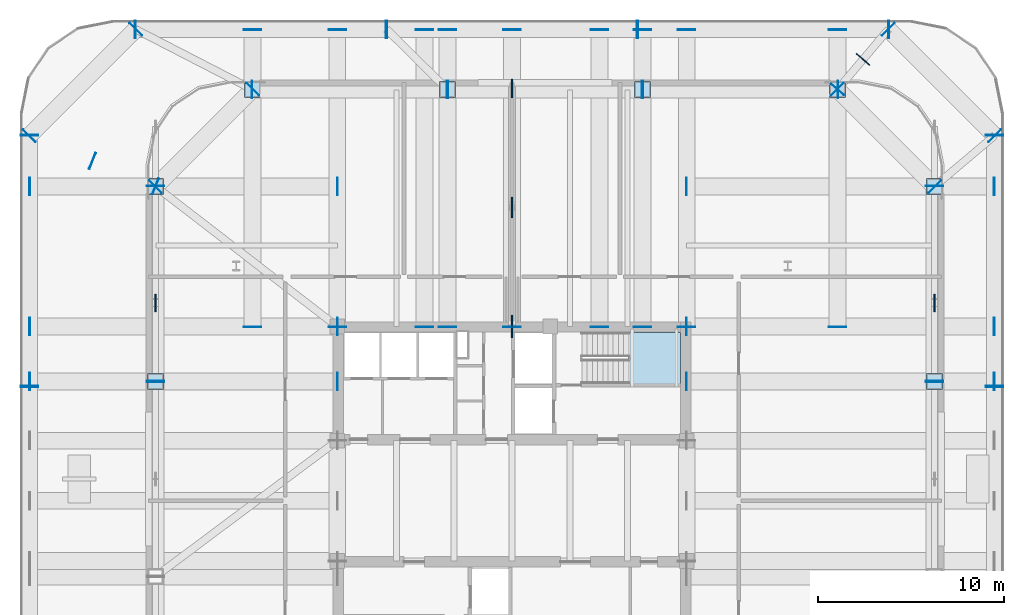
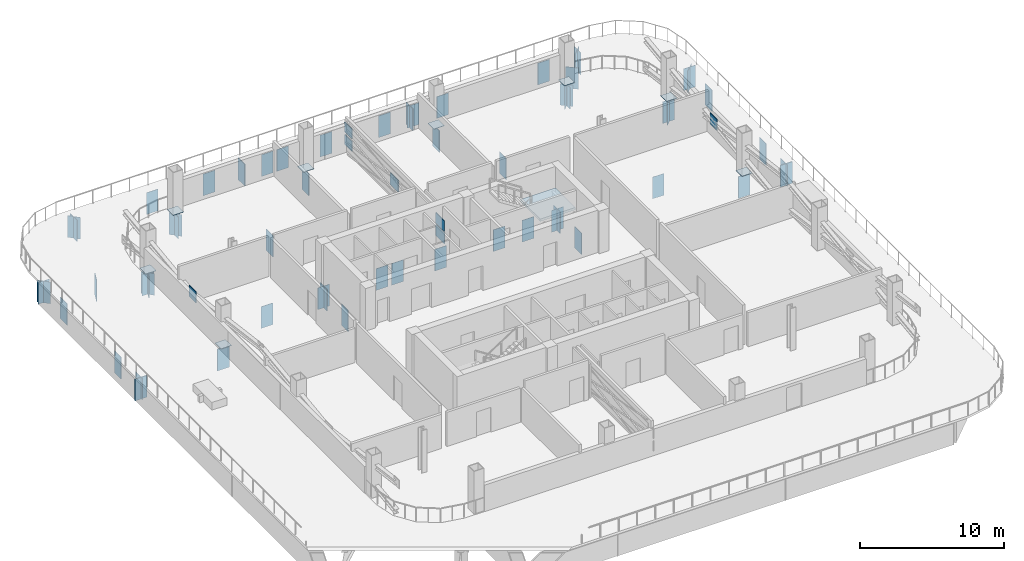
# One storey, part 7 of 16: 81 plates, 1 slab, 1 element without a shape of its own.
"""IFC4 building model written with IfcOpenShell, lengths in metres."""

from ifc_helpers import new_model, si_unit, direction, frame, origin, origin_2d, place, context, subcontext, project, spatial, polyline, rectangle, outline, extrude, material, layer, layer_set, type_object, element, aggregate, save


model = new_model("IFC4")

# Units and contexts
model_context = context("Model", 3, precision=1e-05, world=origin(), true_north=direction((0.0, 1.0)))
body_context = subcontext(model_context, "Body", "Model", "MODEL_VIEW")
ifc_project = project(units=[si_unit("LENGTHUNIT", "METRE"), si_unit("AREAUNIT", "SQUARE_METRE"), si_unit("VOLUMEUNIT", "CUBIC_METRE"), si_unit("PLANEANGLEUNIT", "RADIAN"), si_unit("MASSUNIT", "GRAM", prefix="KILO")], contexts=[model_context])

# Site, building, storey
site_placement = place(None, origin())
site = spatial("IfcSite", under=ifc_project, at=site_placement, CompositionType="ELEMENT")
building_placement = place(site_placement, origin())
building = spatial("IfcBuilding", under=site, at=building_placement, Name="Qhalaya Broadcast Tower", CompositionType="ELEMENT")
storey_placement = place(building_placement, frame((0.0, 0.0, 57.89990234375)))
storey = spatial("IfcBuildingStorey", under=building, at=storey_placement, Name="L16", CompositionType="ELEMENT", Elevation=57.89990234375)

# Plates
ifc_material_1 = material(Name="Structural Steel ASTM A572 Grade 50", Category="steel")
ifc_layer_1 = layer(ifc_material_1, 0.4599609375, Name="Structural Steel ASTM A572 Grade 50")
ifc_layer_set_1 = layer_set([ifc_layer_1], Name="Structural Steel ASTM A572 Grade 50")
plate_type_1 = type_object("IfcPlateType", Name="Hollow Box Member End Cap Plate CP-01", PredefinedType="USERDEFINED", material=ifc_layer_set_1)
for number, where, z_axis, x_axis, name in (
    (1, (22.669921875, 7.019287109375, -2.10009765625), (0.0, 0.0, 1.0), (-1.0, 0.0, 0.0), "L16 Hollow Girder End Cap L16-SPR-06-B"),
    (2, (22.669921875, 6.9873046875, -2.10009765625), (0.0, 0.0, 1.0), (-1.0, 0.0, 0.0), "L16 Hollow Girder End Cap L16-SPR-07-A"),
    (3, (22.669921875, 17.486083984375, -2.10009765625), (0.0, 0.0, 1.0), (-1.0, 0.0, 0.0), "L16 Hollow Girder End Cap L16-SPR-07-B"),
    (4, (22.681396484375, 17.458740234375, -2.10009765625), (0.0, 0.0, 1.0), (-0.707106781187, -0.707106781187, 0.0), "L16 Hollow Girder End Cap L16-SPR-08-A"),
    (5, (17.458740234375, 22.681396484375, -2.10009765625), (0.0, 0.0, 1.0), (-0.707106781187, -0.707106781187, 0.0), "L16 Hollow Girder End Cap L16-SPR-08-B"),
    (6, (17.486083984375, 22.669921875, -2.10009765625), (0.0, 0.0, 1.0), (0.0, -1.0, 0.0), "L16 Hollow Girder End Cap L16-SPR-09-A"),
    (7, (6.9873046875, 22.669921875, -2.10009765625), (0.0, 0.0, 1.0), (0.0, -1.0, 0.0), "L16 Hollow Girder End Cap L16-SPR-09-B"),
    (8, (7.019287109375, 22.669921875, -2.10009765625), (0.0, 0.0, 1.0), (0.0, -1.0, 0.0), "L16 Hollow Girder End Cap L16-SPR-10-A"),
    (9, (-3.479248046875, 22.669921875, -2.10009765625), (0.0, 0.0, 1.0), (0.0, -1.0, 0.0), "L16 Hollow Girder End Cap L16-SPR-10-B"),
    (10, (-3.447265625, 22.669921875, -2.10009765625), (0.0, 0.0, 1.0), (0.0, -1.0, 0.0), "L16 Hollow Girder End Cap L16-SPR-11-A"),
    (11, (-13.946044921875, 22.669921875, -2.10009765625), (0.0, 0.0, 1.0), (0.0, -1.0, 0.0), "L16 Hollow Girder End Cap L16-SPR-11-B"),
    (12, (-13.918701171875, 22.681396484375, -2.10009765625), (0.0, 0.0, 1.0), (0.707106781187, -0.707106781187, 0.0), "L16 Hollow Girder End Cap L16-SPR-12-A"),
    (13, (-19.141357421875, 17.458740234375, -2.10009765625), (0.0, 0.0, 1.0), (0.707106781187, -0.707106781187, 0.0), "L16 Hollow Girder End Cap L16-SPR-12-B"),
    (14, (-19.1298828125, 17.486083984375, -2.10009765625), (0.0, 0.0, 1.0), (1.0, 0.0, 0.0), "L16 Hollow Girder End Cap L16-SPR-13-A"),
    (15, (-19.1298828125, 6.9873046875, -2.10009765625), (0.0, 0.0, 1.0), (1.0, 0.0, 0.0), "L16 Hollow Girder End Cap L16-SPR-13-B"),
    (16, (-19.1298828125, 7.019287109375, -2.10009765625), (0.0, 0.0, 1.0), (1.0, 0.0, 0.0), "L16 Hollow Girder End Cap L16-SPR-14-A"),
    (17, (25.89990234375, 6.749267578125, -2.10009765625), (0.0, 0.0, 1.0), (-1.0, 0.0, 0.0), "L16 Hollow Girder End Cap L16-TGL-06-B"),
    (18, (25.89990234375, 6.71728515625, -2.10009765625), (0.0, 0.0, 1.0), (-1.0, 0.0, 0.0), "L16 Hollow Girder End Cap L16-TGL-07-A"),
    (19, (25.89990234375, 20.216064453125, -2.10009765625), (0.0, 0.0, 1.0), (-1.0, 0.0, 0.0), "L16 Hollow Girder End Cap L16-TGL-07-B"),
    (20, (25.911376953125, 20.188720703125, -2.10009765625), (0.0, 0.0, 1.0), (-0.707106781187, -0.707106781187, 0.0), "L16 Hollow Girder End Cap L16-TGL-08-A"),
    (21, (20.188720703125, 25.911376953125, -2.10009765625), (0.0, 0.0, 1.0), (-0.707106781187, -0.707106781187, 0.0), "L16 Hollow Girder End Cap L16-TGL-08-B"),
    (22, (20.216064453125, 25.89990234375, -2.10009765625), (0.0, 0.0, 1.0), (0.0, -1.0, 0.0), "L16 Hollow Girder End Cap L16-TGL-09-A"),
    (23, (6.71728515625, 25.89990234375, -2.10009765625), (0.0, 0.0, 1.0), (0.0, -1.0, 0.0), "L16 Hollow Girder End Cap L16-TGL-09-B"),
    (24, (6.749267578125, 25.89990234375, -2.10009765625), (0.0, 0.0, 1.0), (0.0, -1.0, 0.0), "L16 Hollow Girder End Cap L16-TGL-10-A"),
    (25, (-6.749267578125, 25.89990234375, -2.10009765625), (0.0, 0.0, 1.0), (0.0, -1.0, 0.0), "L16 Hollow Girder End Cap L16-TGL-10-B"),
    (26, (-6.71728515625, 25.89990234375, -2.10009765625), (0.0, 0.0, 1.0), (0.0, -1.0, 0.0), "L16 Hollow Girder End Cap L16-TGL-11-A"),
    (27, (-20.216064453125, 25.89990234375, -2.10009765625), (0.0, 0.0, 1.0), (0.0, -1.0, 0.0), "L16 Hollow Girder End Cap L16-TGL-11-B"),
    (28, (-20.188720703125, 25.911376953125, -2.10009765625), (0.0, 0.0, 1.0), (0.707106781187, -0.707106781187, 0.0), "L16 Hollow Girder End Cap L16-TGL-12-A"),
    (29, (-25.911376953125, 20.188720703125, -2.10009765625), (0.0, 0.0, 1.0), (0.707106781187, -0.707106781187, 0.0), "L16 Hollow Girder End Cap L16-TGL-12-B"),
    (30, (-25.89990234375, 20.216064453125, -2.10009765625), (0.0, 0.0, 1.0), (1.0, 0.0, 0.0), "L16 Hollow Girder End Cap L16-TGL-13-A"),
    (31, (-25.89990234375, 6.71728515625, -2.10009765625), (0.0, 0.0, 1.0), (1.0, 0.0, 0.0), "L16 Hollow Girder End Cap L16-TGL-13-B"),
    (32, (-25.89990234375, 6.749267578125, -2.10009765625), (0.0, 0.0, 1.0), (1.0, 0.0, 0.0), "L16 Hollow Girder End Cap L16-TGL-14-A"),
    (33, (-9.375, 9.93408203125, -2.10009765625), (0.0, 0.0, 1.0), (-1.0, 0.0, 0.0), "L16 Hollow Girder End Cap L16-TGINW-1-A"),
    (34, (-9.375, 25.8759765625, -2.10009765625), (0.0, 0.0, 1.0), (-1.0, 0.0, 0.0), "L16 Hollow Girder End Cap L16-TGINW-1-B"),
    (35, (9.375, 9.93408203125, -2.10009765625), (0.0, 0.0, 1.0), (-1.0, 0.0, 0.0), "L16 Hollow Girder End Cap L16-TGINE-1-A"),
    (36, (9.375, 25.8759765625, -2.10009765625), (0.0, 0.0, 1.0), (-1.0, 0.0, 0.0), "L16 Hollow Girder End Cap L16-TGINE-1-B"),
    (37, (0.0, 9.93408203125, -2.10009765625), (0.0, 0.0, 1.0), (-1.0, 0.0, 0.0), "L16 Hollow Girder End Cap L16-TGIMN-1-A"),
    (38, (0.0, 25.8759765625, -2.10009765625), (0.0, 0.0, 1.0), (-1.0, 0.0, 0.0), "L16 Hollow Girder End Cap L16-TGIMN-1-B"),
    (39, (-4.699951171875, 9.93408203125, -2.10009765625), (0.0, 0.0, 1.0), (-1.0, 0.0, 0.0), "L16 Hollow Girder End Cap L16-TGIMNW-1-A"),
    (40, (-4.699951171875, 25.8759765625, -2.10009765625), (0.0, 0.0, 1.0), (-1.0, 0.0, 0.0), "L16 Hollow Girder End Cap L16-TGIMNW-1-B"),
    (41, (4.699951171875, 9.93408203125, -2.10009765625), (0.0, 0.0, 1.0), (-1.0, 0.0, 0.0), "L16 Hollow Girder End Cap L16-TGIMNE-1-A"),
    (42, (4.699951171875, 25.8759765625, -2.10009765625), (0.0, 0.0, 1.0), (-1.0, 0.0, 0.0), "L16 Hollow Girder End Cap L16-TGIMNE-1-B"),
    (43, (-25.8759765625, 9.949951171875, -2.10009765625), (0.0, 0.0, 1.0), (0.0, 1.0, 0.0), "L16 Hollow Girder End Cap L16-TGIY4W-1-A"),
    (44, (-9.35888671875, 9.949951171875, -2.10009765625), (0.0, 0.0, 1.0), (0.0, 1.0, 0.0), "L16 Hollow Girder End Cap L16-TGIY4W-1-B"),
    (45, (9.35888671875, 9.949951171875, -2.10009765625), (0.0, 0.0, 1.0), (0.0, 1.0, 0.0), "L16 Hollow Girder End Cap L16-TGIY4E-1-A"),
    (46, (25.8759765625, 9.949951171875, -2.10009765625), (0.0, 0.0, 1.0), (0.0, 1.0, 0.0), "L16 Hollow Girder End Cap L16-TGIY4E-1-B"),
    (47, (9.35888671875, 7.00341796875, -2.10009765625), (0.0, 0.0, 1.0), (0.0, 1.0, 0.0), "L16 Hollow Girder End Cap L16-TGC-07-A"),
    (48, (25.8759765625, 7.00341796875, -2.10009765625), (0.0, 0.0, 1.0), (0.0, 1.0, 0.0), "L16 Hollow Girder End Cap L16-TGC-07-B"),
    (49, (9.35888671875, 17.469970703125, -2.10009765625), (0.0, 0.0, 1.0), (0.0, 1.0, 0.0), "L16 Hollow Girder End Cap L16-TGC-08-A"),
    (50, (25.8759765625, 17.469970703125, -2.10009765625), (0.0, 0.0, 1.0), (0.0, 1.0, 0.0), "L16 Hollow Girder End Cap L16-TGC-08-B"),
    (51, (17.469970703125, 9.93408203125, -2.10009765625), (0.0, 0.0, 1.0), (-1.0, 0.0, 0.0), "L16 Hollow Girder End Cap L16-TGC-09-A"),
    (52, (17.469970703125, 25.8759765625, -2.10009765625), (0.0, 0.0, 1.0), (-1.0, 0.0, 0.0), "L16 Hollow Girder End Cap L16-TGC-09-B"),
):
    element("IfcPlate", number, at=place(storey_placement, frame(where, z_axis=z_axis, x_axis=x_axis)), inside=storey, type_object=plate_type_1, Name=name, ObjectType="COVER_PLATE", PredefinedType="USERDEFINED", context=body_context, shape_type="SweptSolid", body=[
        extrude(rectangle(XDim=0.93994140625, YDim=0.031982421875, at=origin_2d()), origin(), (0.0, 0.0, 1.0), 1.840087890625),
    ])
plate_1_placement = place(storey_placement, frame((17.469970703125, 22.669921875, -2.080078125), z_axis=(0.0, 0.0, 1.0), x_axis=(0.763739698917, -0.645524339044, 0.0)))
element("IfcPlate", 53, at=plate_1_placement, inside=storey, type_object=plate_type_1, Name="L16 Transfer Box End Cap 09", ObjectType="COVER_PLATE", PredefinedType="USERDEFINED", context=body_context, shape_type="SweptSolid", body=[
    extrude(rectangle(XDim=0.919921875, YDim=0.035888671875, at=origin_2d()), origin(), (0.0, 0.0, 1.0), 1.800048828125),
])
for number, where, z_axis, x_axis, name in (
    (54, (7.00341796875, 9.93408203125, -2.10009765625), (0.0, 0.0, 1.0), (-1.0, 0.0, 0.0), "L16 Hollow Girder End Cap L16-TGC-10-A"),
    (55, (7.00341796875, 25.8759765625, -2.10009765625), (0.0, 0.0, 1.0), (-1.0, 0.0, 0.0), "L16 Hollow Girder End Cap L16-TGC-10-B"),
    (56, (-3.46337890625, 9.93408203125, -2.10009765625), (0.0, 0.0, 1.0), (-1.0, 0.0, 0.0), "L16 Hollow Girder End Cap L16-TGC-11-A"),
    (57, (-3.46337890625, 25.8759765625, -2.10009765625), (0.0, 0.0, 1.0), (-1.0, 0.0, 0.0), "L16 Hollow Girder End Cap L16-TGC-11-B"),
    (58, (-13.929931640625, 9.93408203125, -2.10009765625), (0.0, 0.0, 1.0), (-1.0, 0.0, 0.0), "L16 Hollow Girder End Cap L16-TGC-12-A"),
    (59, (-13.929931640625, 25.8759765625, -2.10009765625), (0.0, 0.0, 1.0), (-1.0, 0.0, 0.0), "L16 Hollow Girder End Cap L16-TGC-12-B"),
    (60, (-25.8759765625, 17.469970703125, -2.10009765625), (0.0, 0.0, 1.0), (0.0, 1.0, 0.0), "L16 Hollow Girder End Cap L16-TGC-13-A"),
    (61, (-9.35888671875, 17.469970703125, -2.10009765625), (0.0, 0.0, 1.0), (0.0, 1.0, 0.0), "L16 Hollow Girder End Cap L16-TGC-13-B"),
):
    element("IfcPlate", number, at=place(storey_placement, frame(where, z_axis=z_axis, x_axis=x_axis)), inside=storey, type_object=plate_type_1, Name=name, ObjectType="COVER_PLATE", PredefinedType="USERDEFINED", context=body_context, shape_type="SweptSolid", body=[
        extrude(rectangle(XDim=0.93994140625, YDim=0.031982421875, at=origin_2d()), origin(), (0.0, 0.0, 1.0), 1.840087890625),
    ])
plate_2_placement = place(storey_placement, frame((-19.1298828125, 17.469970703125, -2.080078125), z_axis=(0.0, 0.0, 1.0), x_axis=(0.373991579453, 0.927432099131, 0.0)))
element("IfcPlate", 62, at=plate_2_placement, inside=storey, type_object=plate_type_1, Name="L16 Transfer Box End Cap 13", ObjectType="COVER_PLATE", PredefinedType="USERDEFINED", context=body_context, shape_type="SweptSolid", body=[
    extrude(rectangle(XDim=0.919921875, YDim=0.035888671875, at=origin_2d()), origin(), (0.0, 0.0, 1.0), 1.800048828125),
])
for number, where, z_axis, x_axis, name in (
    (63, (-25.8759765625, 7.00341796875, -2.10009765625), (0.0, 0.0, 1.0), (0.0, 1.0, 0.0), "L16 Hollow Girder End Cap L16-TGC-14-A"),
    (64, (-9.35888671875, 7.00341796875, -2.10009765625), (0.0, 0.0, 1.0), (0.0, 1.0, 0.0), "L16 Hollow Girder End Cap L16-TGC-14-B"),
):
    element("IfcPlate", number, at=place(storey_placement, frame(where, z_axis=z_axis, x_axis=x_axis)), inside=storey, type_object=plate_type_1, Name=name, ObjectType="COVER_PLATE", PredefinedType="USERDEFINED", context=body_context, shape_type="SweptSolid", body=[
        extrude(rectangle(XDim=0.93994140625, YDim=0.031982421875, at=origin_2d()), origin(), (0.0, 0.0, 1.0), 1.840087890625),
    ])
for number, where, z_axis, x_axis, name in (
    (65, (22.669921875, 7.00341796875, -0.03173828125), (0.0, 0.0, 1.0), (0.0, 1.0, 0.0), "L16 Hollow Box Column Base Cap Plate COL-NK07"),
    (66, (22.669921875, 17.469970703125, -0.03173828125), (0.0, 0.0, 1.0), (0.0, 1.0, 0.0), "L16 Hollow Box Column Base Cap Plate COL-NK08"),
    (67, (17.469970703125, 22.669921875, -0.03173828125), (0.0, 0.0, 1.0), (1.0, 0.0, 0.0), "L16 Hollow Box Column Base Cap Plate COL-NK09"),
    (68, (7.00341796875, 22.669921875, -0.03173828125), (0.0, 0.0, 1.0), (1.0, 0.0, 0.0), "L16 Hollow Box Column Base Cap Plate COL-NK10"),
    (69, (-3.46337890625, 22.669921875, -0.03173828125), (0.0, 0.0, 1.0), (1.0, 0.0, 0.0), "L16 Hollow Box Column Base Cap Plate COL-NK11"),
    (70, (-13.929931640625, 22.669921875, -0.03173828125), (0.0, 0.0, 1.0), (1.0, 0.0, 0.0), "L16 Hollow Box Column Base Cap Plate COL-NK12"),
    (71, (-19.1298828125, 17.469970703125, -0.03173828125), (0.0, 0.0, 1.0), (0.0, 1.0, 0.0), "L16 Hollow Box Column Base Cap Plate COL-NK13"),
    (72, (-19.1298828125, 7.00341796875, -0.03173828125), (0.0, 0.0, 1.0), (0.0, 1.0, 0.0), "L16 Hollow Box Column Base Cap Plate COL-NK14"),
):
    element("IfcPlate", number, at=place(storey_placement, frame(where, z_axis=z_axis, x_axis=x_axis)), inside=storey, type_object=plate_type_1, Name=name, ObjectType="COVER_PLATE", PredefinedType="USERDEFINED", context=body_context, shape_type="SweptSolid", body=[
        extrude(rectangle(XDim=0.840087890625, YDim=0.840087890625, at=origin_2d()), origin(), (0.0, 0.0, 1.0), 0.031982421875),
    ])
ifc_layer_2 = layer(ifc_material_1, 0.06005859375, Name="Structural Steel ASTM A572 Grade 50")
ifc_layer_set_2 = layer_set([ifc_layer_2], Name="Structural Steel ASTM A572 Grade 50")
plate_type_2 = type_object("IfcPlateType", Name="Outrigger Core Embed Gusset Plate NP-02", PredefinedType="USERDEFINED", material=ifc_layer_set_2)
for number, where, z_axis, x_axis, name in (
    (73, (0.0, 9.949951171875, 0.400146484375), (0.0, 0.0, 1.0), (0.0, 1.0, 0.0), "L16 Outrigger Gusset Node NC-C0"),
    (74, (0.0, 9.949951171875, 1.4501953125), (0.0, 0.0, 1.0), (0.0, 1.0, 0.0), "L16 Outrigger Gusset Node NC-C1"),
):
    element("IfcPlate", number, at=place(storey_placement, frame(where, z_axis=z_axis, x_axis=x_axis)), inside=storey, type_object=plate_type_2, Name=name, ObjectType="GUSSET_PLATE", PredefinedType="USERDEFINED", context=body_context, shape_type="SweptSolid", body=[
        extrude(rectangle(XDim=1.199951171875, YDim=0.06005859375, at=origin_2d()), origin(), (0.0, 0.0, 1.0), 0.89990234375),
    ])
plate_3_placement = place(storey_placement, frame((0.0, 16.3349609375, 0.875), z_axis=(0.0, 0.0, 1.0), x_axis=(0.0, 1.0, 0.0)))
element("IfcPlate", 75, at=plate_3_placement, inside=storey, type_object=plate_type_2, Name="L16 Outrigger Gusset Node NC-XM", ObjectType="GUSSET_PLATE", PredefinedType="USERDEFINED", context=body_context, shape_type="SweptSolid", body=[
    extrude(rectangle(XDim=1.10009765625, YDim=0.06005859375, at=origin_2d()), origin(), (0.0, 0.0, 1.0), 1.0),
])
for number, where, z_axis, x_axis, name in (
    (76, (0.0, 22.719970703125, 0.425048828125), (0.0, 0.0, 1.0), (0.0, 1.0, 0.0), "L16 Outrigger Gusset Node NC-P0"),
    (77, (0.0, 22.719970703125, 1.47509765625), (0.0, 0.0, 1.0), (0.0, 1.0, 0.0), "L16 Outrigger Gusset Node NC-P1"),
):
    element("IfcPlate", number, at=place(storey_placement, frame(where, z_axis=z_axis, x_axis=x_axis)), inside=storey, type_object=plate_type_2, Name=name, ObjectType="GUSSET_PLATE", PredefinedType="USERDEFINED", context=body_context, shape_type="SweptSolid", body=[
        extrude(rectangle(XDim=1.0, YDim=0.06005859375, at=origin_2d()), origin(), (0.0, 0.0, 1.0), 0.85009765625),
    ])
for number, where, z_axis, x_axis, name in (
    (78, (-19.1298828125, 11.219970703125, 1.21533203125), (0.0, 0.0, 1.0), (0.0, 1.0, 0.0), "L16 Belt Truss X-Crossing Gusset W2"),
    (79, (22.669921875, 11.219970703125, 1.21533203125), (0.0, 0.0, 1.0), (0.0, 1.0, 0.0), "L16 Belt Truss X-Crossing Gusset E2"),
):
    element("IfcPlate", number, at=place(storey_placement, frame(where, z_axis=z_axis, x_axis=x_axis)), inside=storey, type_object=plate_type_2, Name=name, ObjectType="GUSSET_PLATE", PredefinedType="USERDEFINED", context=body_context, shape_type="SweptSolid", body=[
        extrude(rectangle(XDim=0.949951171875, YDim=0.06005859375, at=origin_2d()), origin(), (0.0, 0.0, 1.0), 0.949951171875),
    ])

# Stair, slab
ifc_material_2 = material(Name="Concrete C40/50", Category="concrete")
stair_type = type_object("IfcStairType", Name="Protected Dogleg Core Stair 3600", PredefinedType="TWO_STRAIGHT_RUN_STAIR", material=ifc_material_2)
stair_placement = place(storey_placement, origin())
stair = element("IfcStair", 80, at=stair_placement, inside=storey, type_object=stair_type, Name="L16 North Core Exit Stair ST-1", PredefinedType="TWO_STRAIGHT_RUN_STAIR")
ifc_layer_3 = layer(ifc_material_2, 0.199951171875, Name="Concrete C40/50")
ifc_layer_set_3 = layer_set([ifc_layer_3], Name="Concrete C40/50")
slab_type = type_object("IfcSlabType", Name="Stair & Ramp Half-Landing Slab 200", PredefinedType="LANDING", material=ifc_layer_set_3)
slab_placement = place(storey_placement, frame((0.0, 0.0, 1.60009765625)))
slab = element("IfcSlab", 81, at=slab_placement, type_object=slab_type, Name="ST-1 landing 1", PredefinedType="LANDING", context=body_context, shape_type="SweptSolid", body=[
    extrude(outline(polyline([(6.235107421875, 6.8798828125), (9.050048828125, 6.8798828125), (9.050048828125, 9.639892578125), (6.235107421875, 9.639892578125), (6.235107421875, 6.8798828125)])), origin(), (0.0, 0.0, 1.0), 0.199951171875),
])
aggregate(stair, [slab])

# Plates
ifc_layer_4 = layer(ifc_material_1, 0.044921875, Name="Structural Steel ASTM A572 Grade 50")
ifc_layer_set_4 = layer_set([ifc_layer_4], Name="Structural Steel ASTM A572 Grade 50")
plate_type_3 = type_object("IfcPlateType", Name="Transfer Girder Web Stiffener Plate WS-01", PredefinedType="USERDEFINED", material=ifc_layer_set_4)
for number, where, z_axis, x_axis, name in (
    (82, (18.8349609375, 24.284912109375, -2.080078125), (0.0, 0.0, 1.0), (0.763739698917, -0.645524339044, 0.0), "L16 Transfer Girder Stiffener 09"),
    (83, (-22.514892578125, 18.8349609375, -2.080078125), (0.0, 0.0, 1.0), (0.373991579453, 0.927432099131, 0.0), "L16 Transfer Girder Stiffener 13"),
):
    element("IfcPlate", number, at=place(storey_placement, frame(where, z_axis=z_axis, x_axis=x_axis)), inside=storey, type_object=plate_type_3, Name=name, ObjectType="STIFFENER_PLATE", PredefinedType="USERDEFINED", context=body_context, shape_type="SweptSolid", body=[
        extrude(rectangle(XDim=0.93994140625, YDim=0.044921875, at=origin_2d()), origin(), (0.0, 0.0, 1.0), 1.800048828125),
    ])

save(model, "model.ifc")
